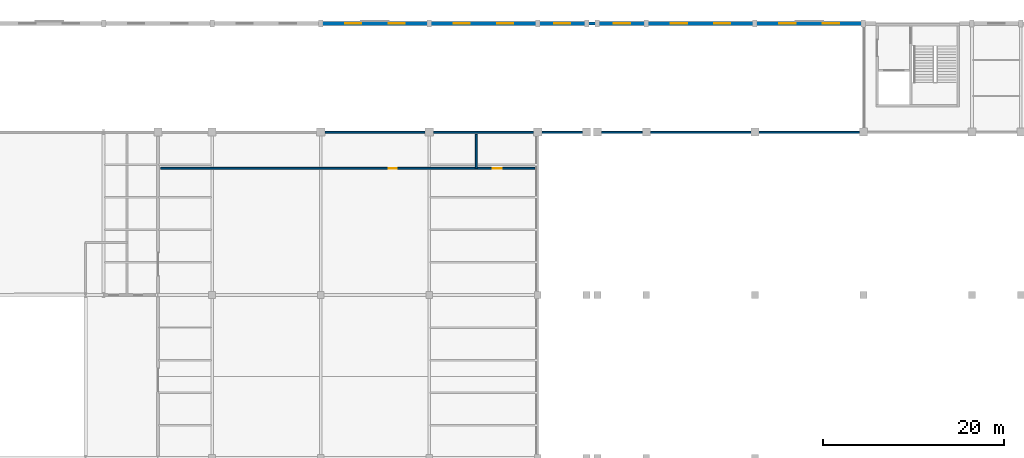
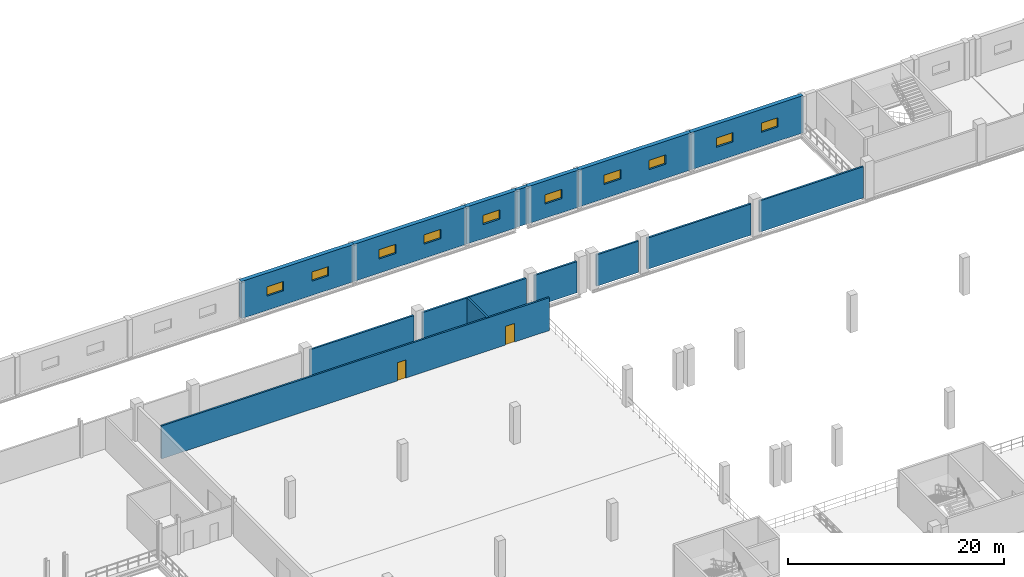
# One storey, part 149 of 158: 15 walls, 10 windows, 2 doors, 12 openings.
"""IFC4 building model written with IfcOpenShell, lengths in metres."""

from ifc_helpers import new_model, si_unit, direction, frame, frame_2d, origin, place, context, subcontext, project, spatial, rectangle, extrude, material, layer, layer_set, type_object, element, fill, save


model = new_model("IFC4")

# Units and contexts
model_context = context("Model", 3, precision=1e-05, world=origin(), true_north=direction((0.0, 1.0)))
body_context = subcontext(model_context, "Body", "Model", "MODEL_VIEW")
ifc_project = project(units=[si_unit("LENGTHUNIT", "METRE"), si_unit("AREAUNIT", "SQUARE_METRE"), si_unit("VOLUMEUNIT", "CUBIC_METRE"), si_unit("PLANEANGLEUNIT", "RADIAN"), si_unit("MASSUNIT", "GRAM", prefix="KILO")], contexts=[model_context])

# Site, building, storey
site_placement = place(None, origin())
site = spatial("IfcSite", under=ifc_project, at=site_placement, CompositionType="ELEMENT")
building_placement = place(site_placement, origin())
building = spatial("IfcBuilding", under=site, at=building_placement, Name="Zilviju Railside Exhibition Hall", CompositionType="ELEMENT")
storey_placement = place(building_placement, frame((0.0, 0.0, 4.199951171875)))
storey = spatial("IfcBuildingStorey", under=building, at=storey_placement, Name="L02", CompositionType="ELEMENT", Elevation=4.199951171875)

# Wall
ifc_material_1 = material(Name="Insulated courtyard masonry wall", Category="masonry")
ifc_layer_1 = layer(ifc_material_1, 0.360107421875)
ifc_layer_set_1 = layer_set([ifc_layer_1], Name="Insulated courtyard masonry wall")
wall_type_1 = type_object("IfcWallType", Name="WL-EXT-360", PredefinedType="SOLIDWALL", material=ifc_layer_set_1)
wall_1_placement = place(storey_placement, frame((125.39990234375, 150.0, 0.0), z_axis=(0.0, 0.0, 1.0), x_axis=(1.0, 0.0, 0.0)))
element("IfcWall", 1, at=wall_1_placement, inside=storey, type_object=wall_type_1, Name="Exterior Facade Wall L02 North 0586", PredefinedType="SOLIDWALL", context=body_context, shape_type="SweptSolid", body=[
    extrude(rectangle(XDim=1.2001953125, YDim=0.360107421875, at=frame_2d((0.60009765625, 0.0))), origin(), (0.0, 0.0, 1.0), 4.199951171875),
])

# Wall, openings, windows
ifc_material_2 = material(Name="Concrete C40/50", Category="concrete")
ifc_layer_2 = layer(ifc_material_2, 0.43994140625)
ifc_layer_set_2 = layer_set([ifc_layer_2], Name="Concrete C40/50")
wall_type_2 = type_object("IfcWallType", Name="WL-EXT-AC440", PredefinedType="SHEAR", material=ifc_layer_set_2)
wall_2_placement = place(storey_placement, frame((96.0, 150.0, 0.0), z_axis=(0.0, 0.0, 1.0), x_axis=(1.0, 0.0, 0.0)))
wall_2 = element("IfcWall", 2, at=wall_2_placement, inside=storey, type_object=wall_type_2, Name="Exterior Facade Wall L02 North 0547", PredefinedType="SHEAR", context=body_context, shape_type="SweptSolid", body=[
    extrude(rectangle(XDim=12.0, YDim=0.43994140625, at=frame_2d((6.0, 0.0))), origin(), (0.0, 0.0, 1.0), 4.199951171875),
])
opening_1_placement = place(wall_2_placement, frame((2.699951171875, 0.0, 1.60009765625)))
opening_1 = element("IfcOpeningElement", 3, at=opening_1_placement, cuts=wall_2, Name="Opening WN-16", PredefinedType="OPENING", context=body_context, shape_type="SweptSolid", body=[
    extrude(rectangle(XDim=1.800048828125, YDim=1.050048828125, at=frame_2d((0.89990234375, 0.52490234375))), frame((0.0, 0.22998046875, 0.0), z_axis=(0.0, -1.0, 0.0), x_axis=(1.0, 0.0, 0.0)), (0.0, 0.0, 1.0), 0.4599609375),
])
opening_2_placement = place(wall_2_placement, frame((7.5, 0.0, 1.60009765625)))
opening_2 = element("IfcOpeningElement", 4, at=opening_2_placement, cuts=wall_2, Name="Opening WN-16", PredefinedType="OPENING", context=body_context, shape_type="SweptSolid", body=[
    extrude(rectangle(XDim=1.800048828125, YDim=1.050048828125, at=frame_2d((0.89990234375, 0.52490234375))), frame((0.0, 0.22998046875, 0.0), z_axis=(0.0, -1.0, 0.0), x_axis=(1.0, 0.0, 0.0)), (0.0, 0.0, 1.0), 0.4599609375),
])
ifc_material_3 = material(Name="Triple-glazed timber-aluminium window unit", Category="wood")
window_type = type_object("IfcWindowType", Name="WIN-LOG-180x105", PartitioningType="DOUBLE_PANEL_VERTICAL", PredefinedType="WINDOW", material=ifc_material_3)
window_1_placement = place(opening_1_placement, origin())
window_1 = element("IfcWindow", 5, at=window_1_placement, inside=storey, type_object=window_type, Name="Facade Window L02 WN-0126", OverallHeight=1.050048828125, OverallWidth=1.800048828125, PartitioningType="SINGLE_PANEL", PredefinedType="WINDOW", context=body_context, shape_type="SweptSolid", body=[
    extrude(rectangle(XDim=1.800048828125, YDim=1.050048828125, at=frame_2d((0.89990234375, 0.52490234375))), frame((0.0, 0.030029296875, 0.0), z_axis=(0.0, -1.0, 0.0), x_axis=(1.0, 0.0, 0.0)), (0.0, 0.0, 1.0), 0.06005859375),
])
fill(opening_1, window_1)
window_2_placement = place(opening_2_placement, origin())
window_2 = element("IfcWindow", 6, at=window_2_placement, inside=storey, type_object=window_type, Name="Facade Window L02 WN-0127", OverallHeight=1.050048828125, OverallWidth=1.800048828125, PartitioningType="SINGLE_PANEL", PredefinedType="WINDOW", context=body_context, shape_type="SweptSolid", body=[
    extrude(rectangle(XDim=1.800048828125, YDim=1.050048828125, at=frame_2d((0.89990234375, 0.52490234375))), frame((0.0, 0.030029296875, 0.0), z_axis=(0.0, -1.0, 0.0), x_axis=(1.0, 0.0, 0.0)), (0.0, 0.0, 1.0), 0.06005859375),
])
fill(opening_2, window_2)

wall_3_placement = place(storey_placement, frame((108.0, 150.0, 0.0), z_axis=(0.0, 0.0, 1.0), x_axis=(1.0, 0.0, 0.0)))
wall_3 = element("IfcWall", 7, at=wall_3_placement, inside=storey, type_object=wall_type_2, Name="Exterior Facade Wall L02 North 0548", PredefinedType="SHEAR", context=body_context, shape_type="SweptSolid", body=[
    extrude(rectangle(XDim=12.0, YDim=0.43994140625, at=frame_2d((6.0, 0.0))), origin(), (0.0, 0.0, 1.0), 4.199951171875),
])
opening_3_placement = place(wall_3_placement, frame((2.699951171875, 0.0, 1.60009765625)))
opening_3 = element("IfcOpeningElement", 8, at=opening_3_placement, cuts=wall_3, Name="Opening WN-16", PredefinedType="OPENING", context=body_context, shape_type="SweptSolid", body=[
    extrude(rectangle(XDim=1.800048828125, YDim=1.050048828125, at=frame_2d((0.89990234375, 0.52490234375))), frame((0.0, 0.22998046875, 0.0), z_axis=(0.0, -1.0, 0.0), x_axis=(1.0, 0.0, 0.0)), (0.0, 0.0, 1.0), 0.4599609375),
])
opening_4_placement = place(wall_3_placement, frame((7.5, 0.0, 1.60009765625)))
opening_4 = element("IfcOpeningElement", 9, at=opening_4_placement, cuts=wall_3, Name="Opening WN-16", PredefinedType="OPENING", context=body_context, shape_type="SweptSolid", body=[
    extrude(rectangle(XDim=1.800048828125, YDim=1.050048828125, at=frame_2d((0.89990234375, 0.52490234375))), frame((0.0, 0.22998046875, 0.0), z_axis=(0.0, -1.0, 0.0), x_axis=(1.0, 0.0, 0.0)), (0.0, 0.0, 1.0), 0.4599609375),
])
window_3_placement = place(opening_3_placement, origin())
window_3 = element("IfcWindow", 10, at=window_3_placement, inside=storey, type_object=window_type, Name="Facade Window L02 WN-0128", OverallHeight=1.050048828125, OverallWidth=1.800048828125, PartitioningType="SINGLE_PANEL", PredefinedType="WINDOW", context=body_context, shape_type="SweptSolid", body=[
    extrude(rectangle(XDim=1.800048828125, YDim=1.050048828125, at=frame_2d((0.89990234375, 0.52490234375))), frame((0.0, 0.030029296875, 0.0), z_axis=(0.0, -1.0, 0.0), x_axis=(1.0, 0.0, 0.0)), (0.0, 0.0, 1.0), 0.06005859375),
])
fill(opening_3, window_3)
window_4_placement = place(opening_4_placement, origin())
window_4 = element("IfcWindow", 11, at=window_4_placement, inside=storey, type_object=window_type, Name="Facade Window L02 WN-0129", OverallHeight=1.050048828125, OverallWidth=1.800048828125, PartitioningType="SINGLE_PANEL", PredefinedType="WINDOW", context=body_context, shape_type="SweptSolid", body=[
    extrude(rectangle(XDim=1.800048828125, YDim=1.050048828125, at=frame_2d((0.89990234375, 0.52490234375))), frame((0.0, 0.030029296875, 0.0), z_axis=(0.0, -1.0, 0.0), x_axis=(1.0, 0.0, 0.0)), (0.0, 0.0, 1.0), 0.06005859375),
])
fill(opening_4, window_4)

# Wall, opening, window
wall_4_placement = place(storey_placement, frame((120.0, 150.0, 0.0), z_axis=(0.0, 0.0, 1.0), x_axis=(1.0, 0.0, 0.0)))
wall_4 = element("IfcWall", 12, at=wall_4_placement, inside=storey, type_object=wall_type_2, Name="Exterior Facade Wall L02 North 0549", PredefinedType="SHEAR", context=body_context, shape_type="SweptSolid", body=[
    extrude(rectangle(XDim=5.39990234375, YDim=0.43994140625, at=frame_2d((2.699951171875, 0.0))), origin(), (0.0, 0.0, 1.0), 4.199951171875),
])
opening_5_placement = place(wall_4_placement, frame((1.800048828125, 0.0, 1.60009765625)))
opening_5 = element("IfcOpeningElement", 13, at=opening_5_placement, cuts=wall_4, Name="Opening WN-16", PredefinedType="OPENING", context=body_context, shape_type="SweptSolid", body=[
    extrude(rectangle(XDim=1.800048828125, YDim=1.050048828125, at=frame_2d((0.89990234375, 0.52490234375))), frame((0.0, 0.22998046875, 0.0), z_axis=(0.0, -1.0, 0.0), x_axis=(1.0, 0.0, 0.0)), (0.0, 0.0, 1.0), 0.4599609375),
])
window_5_placement = place(opening_5_placement, origin())
window_5 = element("IfcWindow", 14, at=window_5_placement, inside=storey, type_object=window_type, Name="Facade Window L02 WN-0130", OverallHeight=1.050048828125, OverallWidth=1.800048828125, PartitioningType="SINGLE_PANEL", PredefinedType="WINDOW", context=body_context, shape_type="SweptSolid", body=[
    extrude(rectangle(XDim=1.800048828125, YDim=1.050048828125, at=frame_2d((0.89990234375, 0.52490234375))), frame((0.0, 0.030029296875, 0.0), z_axis=(0.0, -1.0, 0.0), x_axis=(1.0, 0.0, 0.0)), (0.0, 0.0, 1.0), 0.06005859375),
])
fill(opening_5, window_5)

wall_5_placement = place(storey_placement, frame((126.60009765625, 150.0, 0.0), z_axis=(0.0, 0.0, 1.0), x_axis=(1.0, 0.0, 0.0)))
wall_5 = element("IfcWall", 15, at=wall_5_placement, inside=storey, type_object=wall_type_2, Name="Exterior Facade Wall L02 North 0550", PredefinedType="SHEAR", context=body_context, shape_type="SweptSolid", body=[
    extrude(rectangle(XDim=5.39990234375, YDim=0.43994140625, at=frame_2d((2.699951171875, 0.0))), origin(), (0.0, 0.0, 1.0), 4.199951171875),
])
opening_6_placement = place(wall_5_placement, frame((1.800048828125, 0.0, 1.60009765625)))
opening_6 = element("IfcOpeningElement", 16, at=opening_6_placement, cuts=wall_5, Name="Opening WN-16", PredefinedType="OPENING", context=body_context, shape_type="SweptSolid", body=[
    extrude(rectangle(XDim=1.800048828125, YDim=1.050048828125, at=frame_2d((0.89990234375, 0.52490234375))), frame((0.0, 0.22998046875, 0.0), z_axis=(0.0, -1.0, 0.0), x_axis=(1.0, 0.0, 0.0)), (0.0, 0.0, 1.0), 0.4599609375),
])
window_6_placement = place(opening_6_placement, origin())
window_6 = element("IfcWindow", 17, at=window_6_placement, inside=storey, type_object=window_type, Name="Facade Window L02 WN-0131", OverallHeight=1.050048828125, OverallWidth=1.800048828125, PartitioningType="SINGLE_PANEL", PredefinedType="WINDOW", context=body_context, shape_type="SweptSolid", body=[
    extrude(rectangle(XDim=1.800048828125, YDim=1.050048828125, at=frame_2d((0.89990234375, 0.52490234375))), frame((0.0, 0.030029296875, 0.0), z_axis=(0.0, -1.0, 0.0), x_axis=(1.0, 0.0, 0.0)), (0.0, 0.0, 1.0), 0.06005859375),
])
fill(opening_6, window_6)

# Wall, openings, windows
wall_6_placement = place(storey_placement, frame((132.0, 150.0, 0.0), z_axis=(0.0, 0.0, 1.0), x_axis=(1.0, 0.0, 0.0)))
wall_6 = element("IfcWall", 18, at=wall_6_placement, inside=storey, type_object=wall_type_2, Name="Exterior Facade Wall L02 North 0551", PredefinedType="SHEAR", context=body_context, shape_type="SweptSolid", body=[
    extrude(rectangle(XDim=12.0, YDim=0.43994140625, at=frame_2d((6.0, 0.0))), origin(), (0.0, 0.0, 1.0), 4.199951171875),
])
opening_7_placement = place(wall_6_placement, frame((2.699951171875, 0.0, 1.60009765625)))
opening_7 = element("IfcOpeningElement", 19, at=opening_7_placement, cuts=wall_6, Name="Opening WN-16", PredefinedType="OPENING", context=body_context, shape_type="SweptSolid", body=[
    extrude(rectangle(XDim=1.800048828125, YDim=1.050048828125, at=frame_2d((0.89990234375, 0.52490234375))), frame((0.0, 0.22998046875, 0.0), z_axis=(0.0, -1.0, 0.0), x_axis=(1.0, 0.0, 0.0)), (0.0, 0.0, 1.0), 0.4599609375),
])
opening_8_placement = place(wall_6_placement, frame((7.5, 0.0, 1.60009765625)))
opening_8 = element("IfcOpeningElement", 20, at=opening_8_placement, cuts=wall_6, Name="Opening WN-16", PredefinedType="OPENING", context=body_context, shape_type="SweptSolid", body=[
    extrude(rectangle(XDim=1.800048828125, YDim=1.050048828125, at=frame_2d((0.89990234375, 0.52490234375))), frame((0.0, 0.22998046875, 0.0), z_axis=(0.0, -1.0, 0.0), x_axis=(1.0, 0.0, 0.0)), (0.0, 0.0, 1.0), 0.4599609375),
])
window_7_placement = place(opening_7_placement, origin())
window_7 = element("IfcWindow", 21, at=window_7_placement, inside=storey, type_object=window_type, Name="Facade Window L02 WN-0132", OverallHeight=1.050048828125, OverallWidth=1.800048828125, PartitioningType="SINGLE_PANEL", PredefinedType="WINDOW", context=body_context, shape_type="SweptSolid", body=[
    extrude(rectangle(XDim=1.800048828125, YDim=1.050048828125, at=frame_2d((0.89990234375, 0.52490234375))), frame((0.0, 0.030029296875, 0.0), z_axis=(0.0, -1.0, 0.0), x_axis=(1.0, 0.0, 0.0)), (0.0, 0.0, 1.0), 0.06005859375),
])
fill(opening_7, window_7)
window_8_placement = place(opening_8_placement, origin())
window_8 = element("IfcWindow", 22, at=window_8_placement, inside=storey, type_object=window_type, Name="Facade Window L02 WN-0133", OverallHeight=1.050048828125, OverallWidth=1.800048828125, PartitioningType="SINGLE_PANEL", PredefinedType="WINDOW", context=body_context, shape_type="SweptSolid", body=[
    extrude(rectangle(XDim=1.800048828125, YDim=1.050048828125, at=frame_2d((0.89990234375, 0.52490234375))), frame((0.0, 0.030029296875, 0.0), z_axis=(0.0, -1.0, 0.0), x_axis=(1.0, 0.0, 0.0)), (0.0, 0.0, 1.0), 0.06005859375),
])
fill(opening_8, window_8)

wall_7_placement = place(storey_placement, frame((144.0, 150.0, 0.0), z_axis=(0.0, 0.0, 1.0), x_axis=(1.0, 0.0, 0.0)))
wall_7 = element("IfcWall", 23, at=wall_7_placement, inside=storey, type_object=wall_type_2, Name="Exterior Facade Wall L02 North 0552", PredefinedType="SHEAR", context=body_context, shape_type="SweptSolid", body=[
    extrude(rectangle(XDim=12.0, YDim=0.43994140625, at=frame_2d((6.0, 0.0))), origin(), (0.0, 0.0, 1.0), 4.199951171875),
])
opening_9_placement = place(wall_7_placement, frame((2.699951171875, 0.0, 1.60009765625)))
opening_9 = element("IfcOpeningElement", 24, at=opening_9_placement, cuts=wall_7, Name="Opening WN-16", PredefinedType="OPENING", context=body_context, shape_type="SweptSolid", body=[
    extrude(rectangle(XDim=1.800048828125, YDim=1.050048828125, at=frame_2d((0.89990234375, 0.52490234375))), frame((0.0, 0.22998046875, 0.0), z_axis=(0.0, -1.0, 0.0), x_axis=(1.0, 0.0, 0.0)), (0.0, 0.0, 1.0), 0.4599609375),
])
opening_10_placement = place(wall_7_placement, frame((7.5, 0.0, 1.60009765625)))
opening_10 = element("IfcOpeningElement", 25, at=opening_10_placement, cuts=wall_7, Name="Opening WN-16", PredefinedType="OPENING", context=body_context, shape_type="SweptSolid", body=[
    extrude(rectangle(XDim=1.800048828125, YDim=1.050048828125, at=frame_2d((0.89990234375, 0.52490234375))), frame((0.0, 0.22998046875, 0.0), z_axis=(0.0, -1.0, 0.0), x_axis=(1.0, 0.0, 0.0)), (0.0, 0.0, 1.0), 0.4599609375),
])
window_9_placement = place(opening_9_placement, origin())
window_9 = element("IfcWindow", 26, at=window_9_placement, inside=storey, type_object=window_type, Name="Facade Window L02 WN-0134", OverallHeight=1.050048828125, OverallWidth=1.800048828125, PartitioningType="SINGLE_PANEL", PredefinedType="WINDOW", context=body_context, shape_type="SweptSolid", body=[
    extrude(rectangle(XDim=1.800048828125, YDim=1.050048828125, at=frame_2d((0.89990234375, 0.52490234375))), frame((0.0, 0.030029296875, 0.0), z_axis=(0.0, -1.0, 0.0), x_axis=(1.0, 0.0, 0.0)), (0.0, 0.0, 1.0), 0.06005859375),
])
fill(opening_9, window_9)
window_10_placement = place(opening_10_placement, origin())
window_10 = element("IfcWindow", 27, at=window_10_placement, inside=storey, type_object=window_type, Name="Facade Window L02 WN-0135", OverallHeight=1.050048828125, OverallWidth=1.800048828125, PartitioningType="SINGLE_PANEL", PredefinedType="WINDOW", context=body_context, shape_type="SweptSolid", body=[
    extrude(rectangle(XDim=1.800048828125, YDim=1.050048828125, at=frame_2d((0.89990234375, 0.52490234375))), frame((0.0, 0.030029296875, 0.0), z_axis=(0.0, -1.0, 0.0), x_axis=(1.0, 0.0, 0.0)), (0.0, 0.0, 1.0), 0.06005859375),
])
fill(opening_10, window_10)

# Walls
ifc_material_4 = material(Name="Double-stud acoustic gypsum partition wall", Category="masonry")
ifc_layer_3 = layer(ifc_material_4, 0.199951171875)
ifc_layer_set_3 = layer_set([ifc_layer_3], Name="Double-stud acoustic gypsum partition wall")
wall_type_3 = type_object("IfcWallType", Name="WL-PART-200", PredefinedType="PARTITIONING", material=ifc_layer_set_3)
for number, where, z_axis, x_axis, name in (
    (28, (96.451904296875, 138.0, 0.0), (0.0, 0.0, 1.0), (1.0, 0.0, 0.0), "REI 180 Railside Buffer Compartment Wall L02"),
    (29, (108.451904296875, 138.0, 0.0), (0.0, 0.0, 1.0), (1.0, 0.0, 0.0), "REI 180 Railside Buffer Compartment Wall L02"),
):
    element("IfcWall", number, at=place(storey_placement, frame(where, z_axis=z_axis, x_axis=x_axis)), inside=storey, type_object=wall_type_3, Name=name, PredefinedType="PARTITIONING", context=body_context, shape_type="SweptSolid", body=[
        extrude(rectangle(XDim=11.09619140625, YDim=0.199951171875, at=frame_2d((5.548095703125, 0.0))), origin(), (0.0, 0.0, 1.0), 3.530029296875),
    ])
for number, where, z_axis, x_axis, name in (
    (30, (120.451904296875, 138.0, 0.0), (0.0, 0.0, 1.0), (1.0, 0.0, 0.0), "REI 180 Railside Buffer Compartment Wall L02"),
    (31, (127.052001953125, 138.0, 0.0), (0.0, 0.0, 1.0), (1.0, 0.0, 0.0), "REI 180 Railside Buffer Compartment Wall L02"),
):
    element("IfcWall", number, at=place(storey_placement, frame(where, z_axis=z_axis, x_axis=x_axis)), inside=storey, type_object=wall_type_3, Name=name, PredefinedType="PARTITIONING", context=body_context, shape_type="SweptSolid", body=[
        extrude(rectangle(XDim=4.49609375, YDim=0.199951171875, at=frame_2d((2.248046875, 0.0))), origin(), (0.0, 0.0, 1.0), 3.530029296875),
    ])
for number, where, z_axis, x_axis, name in (
    (32, (132.451904296875, 138.0, 0.0), (0.0, 0.0, 1.0), (1.0, 0.0, 0.0), "REI 180 Railside Buffer Compartment Wall L02"),
    (33, (144.451904296875, 138.0, 0.0), (0.0, 0.0, 1.0), (1.0, 0.0, 0.0), "REI 180 Railside Buffer Compartment Wall L02"),
):
    element("IfcWall", number, at=place(storey_placement, frame(where, z_axis=z_axis, x_axis=x_axis)), inside=storey, type_object=wall_type_3, Name=name, PredefinedType="PARTITIONING", context=body_context, shape_type="SweptSolid", body=[
        extrude(rectangle(XDim=11.09619140625, YDim=0.199951171875, at=frame_2d((5.548095703125, 0.0))), origin(), (0.0, 0.0, 1.0), 3.530029296875),
    ])

# Wall, openings, doors
ifc_material_5 = material(Name="Accessible WC sanitary chase wall", Category="masonry")
ifc_layer_4 = layer(ifc_material_5, 0.18994140625)
ifc_layer_set_4 = layer_set([ifc_layer_4], Name="Accessible WC sanitary chase wall")
wall_type_4 = type_object("IfcWallType", Name="WL-PLMB-190", PredefinedType="PLUMBINGWALL", material=ifc_layer_set_4)
wall_8_placement = place(storey_placement, frame((78.300048828125, 134.0, 0.0), z_axis=(0.0, 0.0, 1.0), x_axis=(1.0, 0.0, 0.0)))
wall_8 = element("IfcWall", 34, at=wall_8_placement, inside=storey, type_object=wall_type_4, Name="North Gallery West WC Wall", PredefinedType="PLUMBINGWALL", context=body_context, shape_type="SweptSolid", body=[
    extrude(rectangle(XDim=41.39990234375, YDim=0.18994140625, at=frame_2d((20.699951171875, 0.0))), origin(), (0.0, 0.0, 1.0), 3.719970703125),
])
opening_11_placement = place(wall_8_placement, frame((25.199951171875, 0.0, 0.0)))
opening_11 = element("IfcOpeningElement", 35, at=opening_11_placement, cuts=wall_8, Name="Opening WD-02", PredefinedType="OPENING", context=body_context, shape_type="SweptSolid", body=[
    extrude(rectangle(XDim=0.89990234375, YDim=2.050048828125, at=frame_2d((0.449951171875, 1.02490234375))), frame((0.0, 0.10498046875, 0.0), z_axis=(0.0, -1.0, 0.0), x_axis=(1.0, 0.0, 0.0)), (0.0, 0.0, 1.0), 0.2099609375),
])
opening_12_placement = place(wall_8_placement, frame((36.699951171875, 0.0, 0.0)))
opening_12 = element("IfcOpeningElement", 36, at=opening_12_placement, cuts=wall_8, Name="Opening WD-01", PredefinedType="OPENING", context=body_context, shape_type="SweptSolid", body=[
    extrude(rectangle(XDim=1.0, YDim=2.10009765625, at=frame_2d((0.5, 1.050048828125))), frame((0.0, 0.10498046875, 0.0), z_axis=(0.0, -1.0, 0.0), x_axis=(1.0, 0.0, 0.0)), (0.0, 0.0, 1.0), 0.2099609375),
])
ifc_material_6 = material(Name="Accessible WC outward-opening door", Category="wood")
door_type_1 = type_object("IfcDoorType", Name="DR-WC-ACC-100x210", OperationType="NOTDEFINED", PredefinedType="DOOR", material=ifc_material_6)
door_1_placement = place(opening_12_placement, origin())
door_1 = element("IfcDoor", 37, at=door_1_placement, inside=storey, type_object=door_type_1, Name="North Gallery West WC Wall Door 2", OperationType="SINGLE_SWING_LEFT", OverallHeight=2.10009765625, OverallWidth=1.0, PredefinedType="DOOR", context=body_context, shape_type="SweptSolid", body=[
    extrude(rectangle(XDim=1.0, YDim=2.10009765625, at=frame_2d((0.5, 1.050048828125))), frame((0.0, 0.02490234375, 0.0), z_axis=(0.0, -1.0, 0.0), x_axis=(1.0, 0.0, 0.0)), (0.0, 0.0, 1.0), 0.050048828125),
])
fill(opening_12, door_1)
ifc_material_7 = material(Name="Sanitary washroom timber door", Category="wood")
door_type_2 = type_object("IfcDoorType", Name="DR-WC-STD-090x205", OperationType="NOTDEFINED", PredefinedType="DOOR", material=ifc_material_7)
door_2_placement = place(opening_11_placement, origin())
door_2 = element("IfcDoor", 38, at=door_2_placement, inside=storey, type_object=door_type_2, Name="North Gallery West WC Wall Door 1", OperationType="SINGLE_SWING_RIGHT", OverallHeight=2.050048828125, OverallWidth=0.89990234375, PredefinedType="DOOR", context=body_context, shape_type="SweptSolid", body=[
    extrude(rectangle(XDim=0.89990234375, YDim=2.050048828125, at=frame_2d((0.449951171875, 1.02490234375))), frame((0.0, 0.02490234375, 0.0), z_axis=(0.0, -1.0, 0.0), x_axis=(1.0, 0.0, 0.0)), (0.0, 0.0, 1.0), 0.050048828125),
])
fill(opening_11, door_2)

# Wall
wall_9_placement = place(storey_placement, frame((113.199951171875, 134.0, 0.0), z_axis=(0.0, 0.0, 1.0), x_axis=(0.0, 1.0, 0.0)))
element("IfcWall", 39, at=wall_9_placement, inside=storey, type_object=wall_type_4, Name="North Gallery West WC Divider", PredefinedType="PLUMBINGWALL", context=body_context, shape_type="SweptSolid", body=[
    extrude(rectangle(XDim=3.75, YDim=0.18994140625, at=frame_2d((1.875, 0.0))), origin(), (0.0, 0.0, 1.0), 3.719970703125),
])

save(model, "model.ifc")
